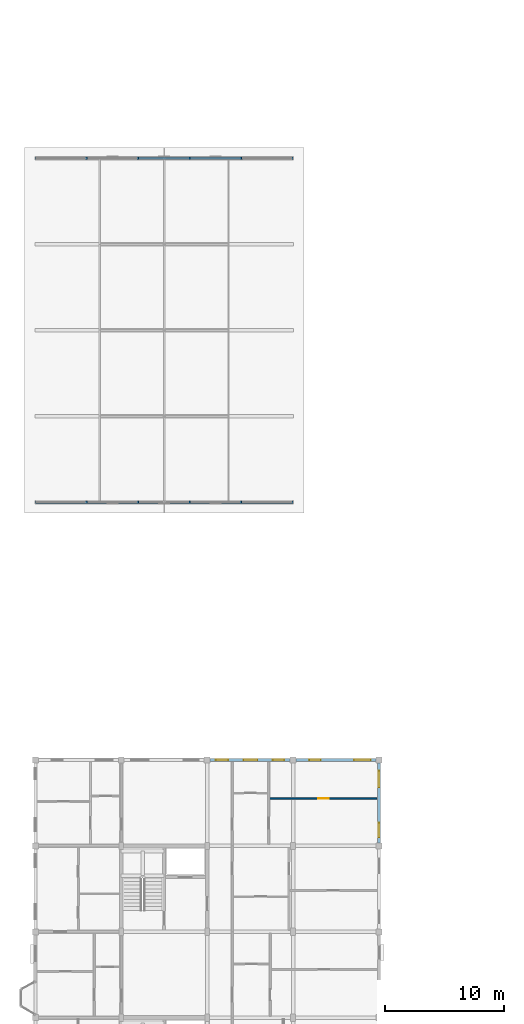
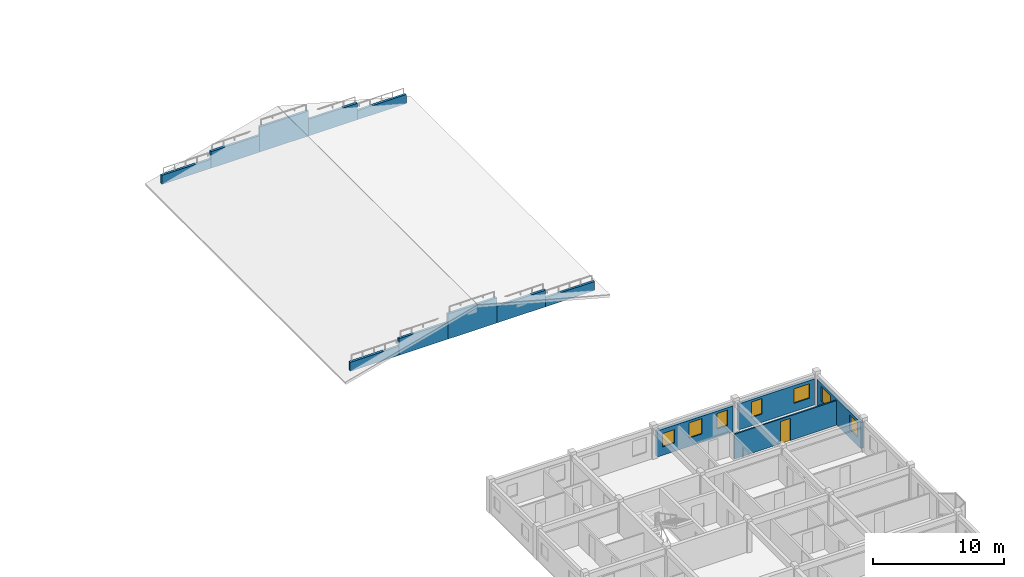
# One storey, part 49 of 65: 14 walls, 7 windows, 1 door, 8 openings.
"""IFC4 building model written with IfcOpenShell, lengths in metres."""

from ifc_helpers import new_model, si_unit, direction, frame, frame_2d, origin, place, context, subcontext, project, spatial, rectangle, extrude, material, layer, layer_set, type_object, element, fill, save


model = new_model("IFC4")

# Units and contexts
model_context = context("Model", 3, precision=1e-05, world=origin(), true_north=direction((0.0, 1.0)))
body_context = subcontext(model_context, "Body", "Model", "MODEL_VIEW")
ifc_project = project(units=[si_unit("LENGTHUNIT", "METRE"), si_unit("AREAUNIT", "SQUARE_METRE"), si_unit("VOLUMEUNIT", "CUBIC_METRE"), si_unit("PLANEANGLEUNIT", "RADIAN"), si_unit("MASSUNIT", "GRAM", prefix="KILO"), si_unit("THERMODYNAMICTEMPERATUREUNIT", "KELVIN"), si_unit("POWERUNIT", "WATT")], contexts=[model_context])

# Site, building, storey
site_placement = place(None, origin())
site = spatial("IfcSite", under=ifc_project, at=site_placement, CompositionType="ELEMENT")
building_placement = place(site_placement, origin())
building = spatial("IfcBuilding", under=site, at=building_placement, Name="Tavuni Mirador Residences", CompositionType="ELEMENT")
storey_placement = place(building_placement, frame((0.0, 0.0, 29.699951171875)))
storey = spatial("IfcBuildingStorey", under=building, at=storey_placement, Name="L09", CompositionType="ELEMENT", Elevation=29.699951171875)

# Wall, openings, windows
ifc_material_1 = material(Name="Sgraffito lime-rendered precast concrete C40/50", Category="concrete")
ifc_layer_1 = layer(ifc_material_1, 0.2451171875, Name="Sgraffito lime-rendered precast concrete C40/50", Category="concrete")
ifc_layer_set_1 = layer_set([ifc_layer_1], Name="Sgraffito lime-rendered precast concrete C40/50")
wall_type_1 = type_object("IfcWallType", Name="WT-EXT-PC245", PredefinedType="SOLIDWALL", material=ifc_layer_set_1)
wall_1_placement = place(storey_placement, frame((32.39990234375, 36.25, 0.0), z_axis=(0.0, 0.0, 1.0), x_axis=(0.0, 1.0, 0.0)))
wall_1 = element("IfcWall", 1, at=wall_1_placement, inside=storey, type_object=wall_type_1, Name="EW-BLK-A-L09-E04", PredefinedType="SOLIDWALL", context=body_context, shape_type="SweptSolid", body=[
    extrude(rectangle(XDim=6.699951171875, YDim=0.2451171875, at=frame_2d((3.35009765625, 0.0))), origin(), (0.0, 0.0, 1.0), 2.43994140625),
])
opening_1_placement = place(wall_1_placement, frame((0.449951171875, 0.0, 0.780029296875)))
opening_1 = element("IfcOpeningElement", 2, at=opening_1_placement, cuts=wall_1, Name="Opening WN-21", PredefinedType="OPENING", context=body_context, shape_type="SweptSolid", body=[
    extrude(rectangle(XDim=1.219970703125, YDim=1.360107421875, at=frame_2d((0.60986328125, 0.68017578125))), frame((0.0, 0.132568359375, 0.0), z_axis=(0.0, -1.0, 0.0), x_axis=(1.0, 0.0, 0.0)), (0.0, 0.0, 1.0), 0.26513671875),
])
opening_2_placement = place(wall_1_placement, frame((4.64990234375, 0.0, 0.780029296875)))
opening_2 = element("IfcOpeningElement", 3, at=opening_2_placement, cuts=wall_1, Name="Opening WN-23", PredefinedType="OPENING", context=body_context, shape_type="SweptSolid", body=[
    extrude(rectangle(XDim=1.3798828125, YDim=1.360107421875, at=frame_2d((0.68994140625, 0.68017578125))), frame((0.0, 0.132568359375, 0.0), z_axis=(0.0, -1.0, 0.0), x_axis=(1.0, 0.0, 0.0)), (0.0, 0.0, 1.0), 0.26513671875),
])
ifc_material_2 = material(Name="Laminated solar-control glass", Category="glass")
window_type_1 = type_object("IfcWindowType", Name="WNT-21", PartitioningType="SINGLE_PANEL", PredefinedType="WINDOW", material=ifc_material_2)
window_1_placement = place(opening_1_placement, origin())
window_1 = element("IfcWindow", 4, at=window_1_placement, inside=storey, type_object=window_type_1, Name="WIN-0341", OverallHeight=1.360107421875, OverallWidth=1.219970703125, PartitioningType="SINGLE_PANEL", PredefinedType="WINDOW", context=body_context, shape_type="SweptSolid", body=[
    extrude(rectangle(XDim=1.219970703125, YDim=1.360107421875, at=frame_2d((0.60986328125, 0.68017578125))), frame((0.0, 0.030029296875, 0.0), z_axis=(0.0, -1.0, 0.0), x_axis=(1.0, 0.0, 0.0)), (0.0, 0.0, 1.0), 0.06005859375),
])
fill(opening_1, window_1)
window_type_2 = type_object("IfcWindowType", Name="WNT-23", PartitioningType="SINGLE_PANEL", PredefinedType="WINDOW", material=ifc_material_2)
window_2_placement = place(opening_2_placement, origin())
window_2 = element("IfcWindow", 5, at=window_2_placement, inside=storey, type_object=window_type_2, Name="WIN-0342", OverallHeight=1.360107421875, OverallWidth=1.3798828125, PartitioningType="SINGLE_PANEL", PredefinedType="WINDOW", context=body_context, shape_type="SweptSolid", body=[
    extrude(rectangle(XDim=1.3798828125, YDim=1.360107421875, at=frame_2d((0.68994140625, 0.68017578125))), frame((0.0, 0.030029296875, 0.0), z_axis=(0.0, -1.0, 0.0), x_axis=(1.0, 0.0, 0.0)), (0.0, 0.0, 1.0), 0.06005859375),
])
fill(opening_2, window_2)

ifc_layer_2 = layer(ifc_material_1, 0.2548828125, Name="Sgraffito lime-rendered precast concrete C40/50", Category="concrete")
ifc_layer_set_2 = layer_set([ifc_layer_2], Name="Sgraffito lime-rendered precast concrete C40/50")
wall_type_2 = type_object("IfcWallType", Name="WT-EXT-PC255", PredefinedType="SOLIDWALL", material=ifc_layer_set_2)
wall_2_placement = place(storey_placement, frame((32.14990234375, 43.199951171875, 0.0), z_axis=(0.0, 0.0, 1.0), x_axis=(-1.0, 0.0, 0.0)))
wall_2 = element("IfcWall", 6, at=wall_2_placement, inside=storey, type_object=wall_type_2, Name="EW-BLK-A-L09-N03", PredefinedType="SOLIDWALL", context=body_context, shape_type="SweptSolid", body=[
    extrude(rectangle(XDim=6.699951171875, YDim=0.2548828125, at=frame_2d((3.35009765625, 0.0))), origin(), (0.0, 0.0, 1.0), 2.43994140625),
])
opening_3_placement = place(wall_2_placement, frame((0.449951171875, 0.0, 0.780029296875)))
opening_3 = element("IfcOpeningElement", 7, at=opening_3_placement, cuts=wall_2, Name="Opening WN-23", PredefinedType="OPENING", context=body_context, shape_type="SweptSolid", body=[
    extrude(rectangle(XDim=1.3798828125, YDim=1.360107421875, at=frame_2d((0.68994140625, 0.68017578125))), frame((0.0, 0.137451171875, 0.0), z_axis=(0.0, -1.0, 0.0), x_axis=(1.0, 0.0, 0.0)), (0.0, 0.0, 1.0), 0.27490234375),
])
opening_4_placement = place(wall_2_placement, frame((4.64990234375, 0.0, 0.780029296875)))
opening_4 = element("IfcOpeningElement", 8, at=opening_4_placement, cuts=wall_2, Name="Opening WN-25", PredefinedType="OPENING", context=body_context, shape_type="SweptSolid", body=[
    extrude(rectangle(XDim=0.93994140625, YDim=1.43994140625, at=frame_2d((0.469970703125, 0.719970703125))), frame((0.0, 0.137451171875, 0.0), z_axis=(0.0, -1.0, 0.0), x_axis=(1.0, 0.0, 0.0)), (0.0, 0.0, 1.0), 0.27490234375),
])
window_3_placement = place(opening_3_placement, origin())
window_3 = element("IfcWindow", 9, at=window_3_placement, inside=storey, type_object=window_type_2, Name="WIN-0343", OverallHeight=1.360107421875, OverallWidth=1.3798828125, PartitioningType="SINGLE_PANEL", PredefinedType="WINDOW", context=body_context, shape_type="SweptSolid", body=[
    extrude(rectangle(XDim=1.3798828125, YDim=1.360107421875, at=frame_2d((0.68994140625, 0.68017578125))), frame((0.0, 0.030029296875, 0.0), z_axis=(0.0, -1.0, 0.0), x_axis=(1.0, 0.0, 0.0)), (0.0, 0.0, 1.0), 0.06005859375),
])
fill(opening_3, window_3)
window_type_3 = type_object("IfcWindowType", Name="WNT-25", PartitioningType="SINGLE_PANEL", PredefinedType="WINDOW", material=ifc_material_2)
window_4_placement = place(opening_4_placement, origin())
window_4 = element("IfcWindow", 10, at=window_4_placement, inside=storey, type_object=window_type_3, Name="WIN-0344", OverallHeight=1.43994140625, OverallWidth=0.93994140625, PartitioningType="SINGLE_PANEL", PredefinedType="WINDOW", context=body_context, shape_type="SweptSolid", body=[
    extrude(rectangle(XDim=0.93994140625, YDim=1.43994140625, at=frame_2d((0.469970703125, 0.719970703125))), frame((0.0, 0.030029296875, 0.0), z_axis=(0.0, -1.0, 0.0), x_axis=(1.0, 0.0, 0.0)), (0.0, 0.0, 1.0), 0.06005859375),
])
fill(opening_4, window_4)

ifc_layer_3 = layer(ifc_material_1, 0.27490234375, Name="Sgraffito lime-rendered precast concrete C40/50", Category="concrete")
ifc_layer_set_3 = layer_set([ifc_layer_3], Name="Sgraffito lime-rendered precast concrete C40/50")
wall_type_3 = type_object("IfcWallType", Name="WT-EXT-PC275", PredefinedType="SOLIDWALL", material=ifc_layer_set_3)
wall_3_placement = place(storey_placement, frame((24.949951171875, 43.199951171875, 0.0), z_axis=(0.0, 0.0, 1.0), x_axis=(-1.0, 0.0, 0.0)))
wall_3 = element("IfcWall", 11, at=wall_3_placement, inside=storey, type_object=wall_type_3, Name="EW-BLK-A-L09-N02", PredefinedType="SOLIDWALL", context=body_context, shape_type="SweptSolid", body=[
    extrude(rectangle(XDim=6.699951171875, YDim=0.27490234375, at=frame_2d((3.35009765625, 0.0))), origin(), (0.0, 0.0, 1.0), 2.43994140625),
])
opening_5_placement = place(wall_3_placement, frame((0.4951171875, 0.0, 0.780029296875)))
opening_5 = element("IfcOpeningElement", 12, at=opening_5_placement, cuts=wall_3, Name="Opening WN-25", PredefinedType="OPENING", context=body_context, shape_type="SweptSolid", body=[
    extrude(rectangle(XDim=0.93994140625, YDim=1.43994140625, at=frame_2d((0.469970703125, 0.719970703125))), frame((0.0, 0.1474609375, 0.0), z_axis=(0.0, -1.0, 0.0), x_axis=(1.0, 0.0, 0.0)), (0.0, 0.0, 1.0), 0.294921875),
])
opening_6_placement = place(wall_3_placement, frame((2.7451171875, 0.0, 0.780029296875)))
opening_6 = element("IfcOpeningElement", 13, at=opening_6_placement, cuts=wall_3, Name="Opening WN-27", PredefinedType="OPENING", context=body_context, shape_type="SweptSolid", body=[
    extrude(rectangle(XDim=1.14990234375, YDim=1.43994140625, at=frame_2d((0.574951171875, 0.719970703125))), frame((0.0, 0.1474609375, 0.0), z_axis=(0.0, -1.0, 0.0), x_axis=(1.0, 0.0, 0.0)), (0.0, 0.0, 1.0), 0.294921875),
])
opening_7_placement = place(wall_3_placement, frame((5.18505859375, 0.0, 0.780029296875)))
opening_7 = element("IfcOpeningElement", 14, at=opening_7_placement, cuts=wall_3, Name="Opening WN-11", PredefinedType="OPENING", context=body_context, shape_type="SweptSolid", body=[
    extrude(rectangle(XDim=1.0400390625, YDim=1.260009765625, at=frame_2d((0.52001953125, 0.6298828125))), frame((0.0, 0.1474609375, 0.0), z_axis=(0.0, -1.0, 0.0), x_axis=(1.0, 0.0, 0.0)), (0.0, 0.0, 1.0), 0.294921875),
])
window_type_4 = type_object("IfcWindowType", Name="WNT-11", PartitioningType="SINGLE_PANEL", PredefinedType="WINDOW", material=ifc_material_2)
window_5_placement = place(opening_7_placement, origin())
window_5 = element("IfcWindow", 15, at=window_5_placement, inside=storey, type_object=window_type_4, Name="WIN-0347", OverallHeight=1.260009765625, OverallWidth=1.0400390625, PartitioningType="SINGLE_PANEL", PredefinedType="WINDOW", context=body_context, shape_type="SweptSolid", body=[
    extrude(rectangle(XDim=1.0400390625, YDim=1.260009765625, at=frame_2d((0.52001953125, 0.6298828125))), frame((0.0, 0.030029296875, 0.0), z_axis=(0.0, -1.0, 0.0), x_axis=(1.0, 0.0, 0.0)), (0.0, 0.0, 1.0), 0.06005859375),
])
fill(opening_7, window_5)
window_6_placement = place(opening_5_placement, origin())
window_6 = element("IfcWindow", 16, at=window_6_placement, inside=storey, type_object=window_type_3, Name="WIN-0345", OverallHeight=1.43994140625, OverallWidth=0.93994140625, PartitioningType="SINGLE_PANEL", PredefinedType="WINDOW", context=body_context, shape_type="SweptSolid", body=[
    extrude(rectangle(XDim=0.93994140625, YDim=1.43994140625, at=frame_2d((0.469970703125, 0.719970703125))), frame((0.0, 0.030029296875, 0.0), z_axis=(0.0, -1.0, 0.0), x_axis=(1.0, 0.0, 0.0)), (0.0, 0.0, 1.0), 0.06005859375),
])
fill(opening_5, window_6)
window_type_5 = type_object("IfcWindowType", Name="WNT-27", PartitioningType="SINGLE_PANEL", PredefinedType="WINDOW", material=ifc_material_2)
window_7_placement = place(opening_6_placement, origin())
window_7 = element("IfcWindow", 17, at=window_7_placement, inside=storey, type_object=window_type_5, Name="WIN-0346", OverallHeight=1.43994140625, OverallWidth=1.14990234375, PartitioningType="SINGLE_PANEL", PredefinedType="WINDOW", context=body_context, shape_type="SweptSolid", body=[
    extrude(rectangle(XDim=1.14990234375, YDim=1.43994140625, at=frame_2d((0.574951171875, 0.719970703125))), frame((0.0, 0.030029296875, 0.0), z_axis=(0.0, -1.0, 0.0), x_axis=(1.0, 0.0, 0.0)), (0.0, 0.0, 1.0), 0.06005859375),
])
fill(opening_6, window_7)

# Walls
ifc_material_3 = material(Name="Precast concrete C40/50", Category="concrete")
ifc_layer_4 = layer(ifc_material_3, 0.205078125, Name="Precast concrete C40/50", Category="concrete")
ifc_layer_set_4 = layer_set([ifc_layer_4], Name="Precast concrete C40/50")
wall_type_4 = type_object("IfcWallType", Name="WT-PAR205", PredefinedType="PARAPET", material=ifc_layer_set_4)
wall_4_placement = place(storey_placement, frame((3.60009765625, 64.800048828125, 0.0), z_axis=(0.0, 0.0, 1.0), x_axis=(1.0, 0.0, 0.0)))
element("IfcWall", 18, at=wall_4_placement, inside=storey, type_object=wall_type_4, Name="PAR-BLKB-S-1", PredefinedType="PARAPET", context=body_context, shape_type="SweptSolid", body=[
    extrude(rectangle(XDim=4.31982421875, YDim=0.205078125, at=frame_2d((2.159912109375, 0.0))), origin(), (0.0, 0.0, 1.0), 0.85009765625),
])
wall_5_placement = place(storey_placement, frame((7.919921875, 64.800048828125, 0.0), z_axis=(0.0, 0.0, 1.0), x_axis=(1.0, 0.0, 0.0)))
element("IfcWall", 19, at=wall_5_placement, inside=storey, type_object=wall_type_4, Name="PAR-BLKB-S-2", PredefinedType="PARAPET", context=body_context, shape_type="SweptSolid", body=[
    extrude(rectangle(XDim=4.320068359375, YDim=0.205078125, at=frame_2d((2.16015625, 0.0))), origin(), (0.0, 0.0, 1.0), 1.550048828125),
])
wall_6_placement = place(storey_placement, frame((12.239990234375, 64.800048828125, 0.0), z_axis=(0.0, 0.0, 1.0), x_axis=(1.0, 0.0, 0.0)))
element("IfcWall", 20, at=wall_6_placement, inside=storey, type_object=wall_type_4, Name="PAR-BLKB-S-3", PredefinedType="PARAPET", context=body_context, shape_type="SweptSolid", body=[
    extrude(rectangle(XDim=4.320068359375, YDim=0.205078125, at=frame_2d((2.16015625, 0.0))), origin(), (0.0, 0.0, 1.0), 2.35009765625),
])
wall_7_placement = place(storey_placement, frame((16.56005859375, 64.800048828125, 0.0), z_axis=(0.0, 0.0, 1.0), x_axis=(1.0, 0.0, 0.0)))
element("IfcWall", 21, at=wall_7_placement, inside=storey, type_object=wall_type_4, Name="PAR-BLKB-S-4", PredefinedType="PARAPET", context=body_context, shape_type="SweptSolid", body=[
    extrude(rectangle(XDim=4.31982421875, YDim=0.205078125, at=frame_2d((2.159912109375, 0.0))), origin(), (0.0, 0.0, 1.0), 1.550048828125),
])
wall_8_placement = place(storey_placement, frame((20.8798828125, 64.800048828125, 0.0), z_axis=(0.0, 0.0, 1.0), x_axis=(1.0, 0.0, 0.0)))
element("IfcWall", 22, at=wall_8_placement, inside=storey, type_object=wall_type_4, Name="PAR-BLKB-S-5", PredefinedType="PARAPET", context=body_context, shape_type="SweptSolid", body=[
    extrude(rectangle(XDim=4.320068359375, YDim=0.205078125, at=frame_2d((2.16015625, 0.0))), origin(), (0.0, 0.0, 1.0), 0.85009765625),
])
wall_9_placement = place(storey_placement, frame((3.60009765625, 93.60009765625, 0.0), z_axis=(0.0, 0.0, 1.0), x_axis=(1.0, 0.0, 0.0)))
element("IfcWall", 23, at=wall_9_placement, inside=storey, type_object=wall_type_4, Name="PAR-BLKB-N-1", PredefinedType="PARAPET", context=body_context, shape_type="SweptSolid", body=[
    extrude(rectangle(XDim=4.31982421875, YDim=0.205078125, at=frame_2d((2.159912109375, 0.0))), origin(), (0.0, 0.0, 1.0), 0.85009765625),
])
wall_10_placement = place(storey_placement, frame((7.919921875, 93.60009765625, 0.0), z_axis=(0.0, 0.0, 1.0), x_axis=(1.0, 0.0, 0.0)))
element("IfcWall", 24, at=wall_10_placement, inside=storey, type_object=wall_type_4, Name="PAR-BLKB-N-2", PredefinedType="PARAPET", context=body_context, shape_type="SweptSolid", body=[
    extrude(rectangle(XDim=4.320068359375, YDim=0.205078125, at=frame_2d((2.16015625, 0.0))), origin(), (0.0, 0.0, 1.0), 1.550048828125),
])
wall_11_placement = place(storey_placement, frame((12.239990234375, 93.60009765625, 0.0), z_axis=(0.0, 0.0, 1.0), x_axis=(1.0, 0.0, 0.0)))
element("IfcWall", 25, at=wall_11_placement, inside=storey, type_object=wall_type_4, Name="PAR-BLKB-N-3", PredefinedType="PARAPET", context=body_context, shape_type="SweptSolid", body=[
    extrude(rectangle(XDim=4.320068359375, YDim=0.205078125, at=frame_2d((2.16015625, 0.0))), origin(), (0.0, 0.0, 1.0), 2.35009765625),
])
wall_12_placement = place(storey_placement, frame((16.56005859375, 93.60009765625, 0.0), z_axis=(0.0, 0.0, 1.0), x_axis=(1.0, 0.0, 0.0)))
element("IfcWall", 26, at=wall_12_placement, inside=storey, type_object=wall_type_4, Name="PAR-BLKB-N-4", PredefinedType="PARAPET", context=body_context, shape_type="SweptSolid", body=[
    extrude(rectangle(XDim=4.31982421875, YDim=0.205078125, at=frame_2d((2.159912109375, 0.0))), origin(), (0.0, 0.0, 1.0), 1.550048828125),
])
wall_13_placement = place(storey_placement, frame((20.8798828125, 93.60009765625, 0.0), z_axis=(0.0, 0.0, 1.0), x_axis=(1.0, 0.0, 0.0)))
element("IfcWall", 27, at=wall_13_placement, inside=storey, type_object=wall_type_4, Name="PAR-BLKB-N-5", PredefinedType="PARAPET", context=body_context, shape_type="SweptSolid", body=[
    extrude(rectangle(XDim=4.320068359375, YDim=0.205078125, at=frame_2d((2.16015625, 0.0))), origin(), (0.0, 0.0, 1.0), 0.85009765625),
])

# Wall, opening, door
ifc_material_4 = material(Name="Acoustic gypsum and concrete block partition", Category="concrete")
ifc_layer_5 = layer(ifc_material_4, 0.125, Name="Acoustic gypsum and concrete block partition", Category="concrete")
ifc_layer_set_5 = layer_set([ifc_layer_5], Name="Acoustic gypsum and concrete block partition")
wall_type_5 = type_object("IfcWallType", Name="WT-PART125", PredefinedType="PARTITIONING", material=ifc_layer_set_5)
wall_14_placement = place(storey_placement, frame((23.22998046875, 39.949951171875, 0.0), z_axis=(0.0, 0.0, 1.0), x_axis=(1.0, 0.0, 0.0)))
wall_14 = element("IfcWall", 28, at=wall_14_placement, inside=storey, type_object=wall_type_5, Name="PW-BLK-A-L09-E04-OUT", PredefinedType="PARTITIONING", context=body_context, shape_type="SweptSolid", body=[
    extrude(rectangle(XDim=8.9951171875, YDim=0.125, at=frame_2d((4.49755859375, 0.0))), origin(), (0.0, 0.0, 1.0), 2.304931640625),
])
opening_8_placement = place(wall_14_placement, frame((4.0576171875, 0.0, 0.0)))
opening_8 = element("IfcOpeningElement", 29, at=opening_8_placement, cuts=wall_14, Name="Opening D-08", PredefinedType="OPENING", context=body_context, shape_type="SweptSolid", body=[
    extrude(rectangle(XDim=0.8798828125, YDim=2.080078125, at=frame_2d((0.43994140625, 1.0400390625))), frame((0.0, 0.072509765625, 0.0), z_axis=(0.0, -1.0, 0.0), x_axis=(1.0, 0.0, 0.0)), (0.0, 0.0, 1.0), 0.14501953125),
])
ifc_material_5 = material(Name="Solid core iroko timber", Category="wood")
door_type = type_object("IfcDoorType", Name="DT-BED880", OperationType="NOTDEFINED", PredefinedType="DOOR", material=ifc_material_5)
door_placement = place(opening_8_placement, origin())
door = element("IfcDoor", 30, at=door_placement, inside=storey, type_object=door_type, Name="DR-3253", OperationType="SINGLE_SWING_RIGHT", OverallHeight=2.080078125, OverallWidth=0.8798828125, PredefinedType="DOOR", context=body_context, shape_type="SweptSolid", body=[
    extrude(rectangle(XDim=0.8798828125, YDim=2.080078125, at=frame_2d((0.43994140625, 1.0400390625))), frame((0.0, 0.02490234375, 0.0), z_axis=(0.0, -1.0, 0.0), x_axis=(1.0, 0.0, 0.0)), (0.0, 0.0, 1.0), 0.050048828125),
])
fill(opening_8, door)

save(model, "model.ifc")
